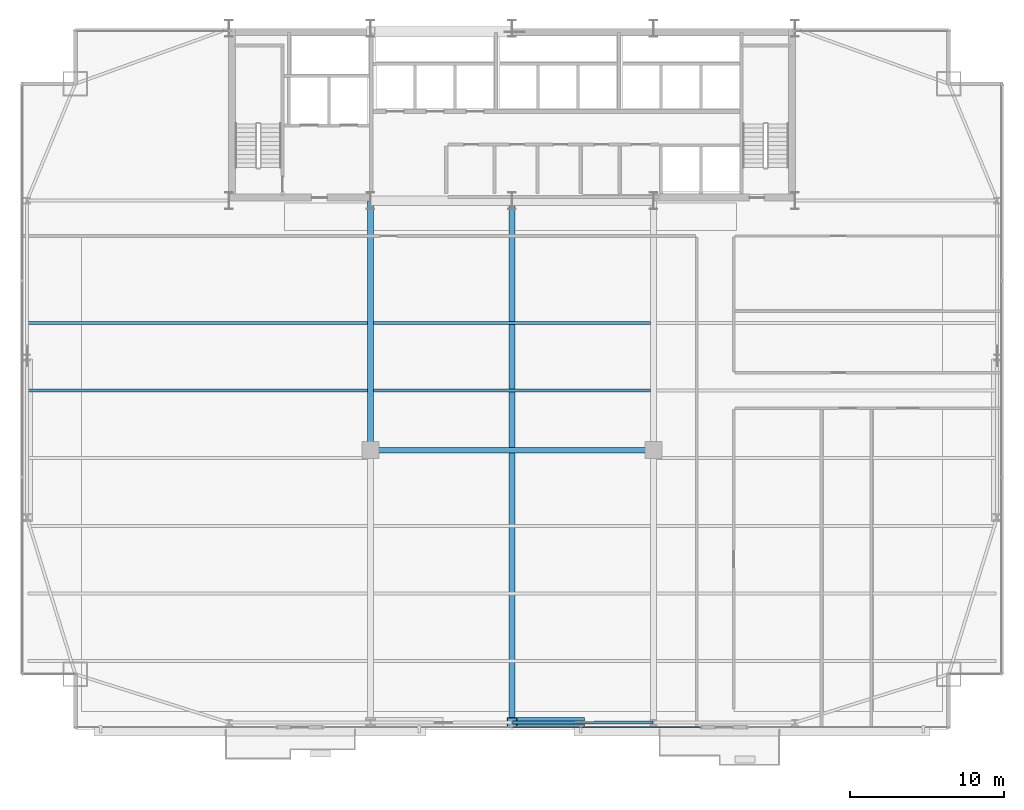
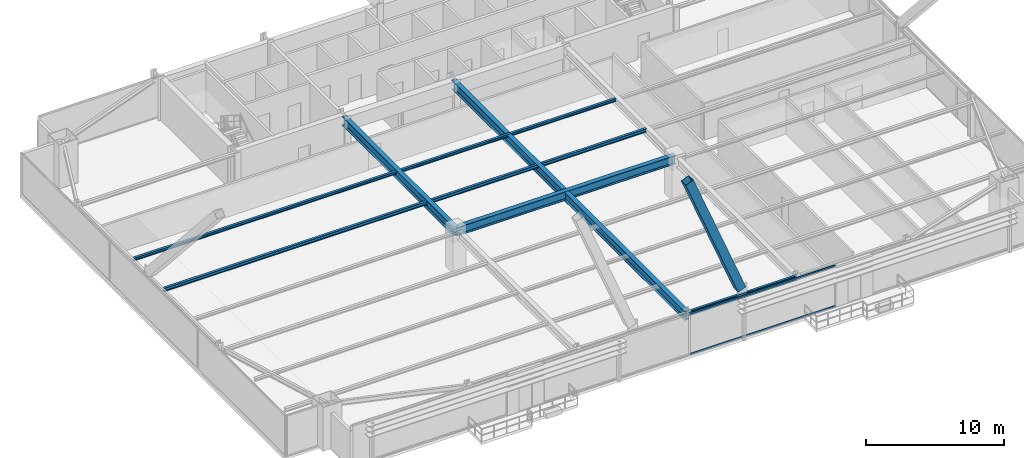
# One storey, part 12 of 35: 8 beams, 3 members, 1 element without a shape of its own.
"""IFC4 building model written with IfcOpenShell, lengths in metres."""

from ifc_helpers import new_model, si_unit, direction, frame, origin, origin_2d, place, context, subcontext, project, spatial, hollow_rectangle, i_section, extrude, source, transform, mapped, material, layer, layer_set, material_profile, profile_set, type_object, type_shapes, element, aggregate, save


model = new_model("IFC4")

# Units and contexts
model_context = context("Model", 3, precision=1e-05, world=origin(), true_north=direction((0.0, 1.0)))
body_context = subcontext(model_context, "Body", "Model", "MODEL_VIEW")
ifc_project = project(units=[si_unit("LENGTHUNIT", "METRE"), si_unit("AREAUNIT", "SQUARE_METRE"), si_unit("VOLUMEUNIT", "CUBIC_METRE"), si_unit("PLANEANGLEUNIT", "RADIAN"), si_unit("MASSUNIT", "GRAM", prefix="KILO")], contexts=[model_context])

# Site, building, storey
site_placement = place(None, origin())
site = spatial("IfcSite", under=ifc_project, at=site_placement, CompositionType="ELEMENT")
building_placement = place(site_placement, origin())
building = spatial("IfcBuilding", under=site, at=building_placement, Name="Varnel Quay Broadcast Tower", CompositionType="ELEMENT")
storey_placement = place(building_placement, frame((0.0, 0.0, 66.60009765625)))
storey = spatial("IfcBuildingStorey", under=building, at=storey_placement, Name="L15", CompositionType="ELEMENT", Elevation=66.60009765625)

# Beams
ifc_material_1 = material(Name="Structural Steel CSA G40.21 350W", Category="steel")
ifc_material_profile_1 = material_profile(ifc_material_1, i_section(OverallWidth=0.180908203125, OverallDepth=0.4169921875, WebThickness=0.010986328125, FlangeThickness=0.018310546875, FilletRadius=0.011962890625, at=origin_2d()), Name="W410X85")
ifc_profile_set_1 = profile_set([ifc_material_profile_1], Name="Structural Steel CSA G40.21 350W")
beam_type_1 = type_object("IfcBeamType", Name="Beam_W410X85", PredefinedType="SPANDREL", material=ifc_profile_set_1)
shared_shape_1 = source(origin(), body_context, "Body", "SweptSolid", [
    extrude(i_section(OverallWidth=0.180908203125, OverallDepth=0.4169921875, WebThickness=0.010986328125, FlangeThickness=0.018310546875, FilletRadius=0.011962890625, at=origin_2d()), origin(), (0.0, 0.0, 1.0), 9.159912109375),
])
type_shapes(beam_type_1, [shared_shape_1])
beam_1_placement = place(storey_placement, frame((34.02001953125, 1.64990234375, 3.44140625), z_axis=(1.0, 0.0, 0.0), x_axis=(0.0, 1.0, 0.0)))
element("IfcBeam", 1, at=beam_1_placement, inside=storey, type_object=beam_type_1, Name="L15 South Spandrel TC-S3-TC-S4", PredefinedType="SPANDREL", context=body_context, shape_type="MappedRepresentation", body=[
    mapped(shared_shape_1, transform((0.0, 0.0, 0.0), x_axis=(1.0, 0.0, 0.0), y_axis=(0.0, 1.0, 0.0), z_axis=(0.0, 0.0, 1.0), scale=1.0)),
])
ifc_material_profile_2 = material_profile(ifc_material_1, i_section(OverallWidth=0.381103515625, OverallDepth=0.77294921875, WebThickness=0.0166015625, FlangeThickness=0.027587890625, FilletRadius=0.01806640625, at=origin_2d()), Name="W760X257")
ifc_profile_set_2 = profile_set([ifc_material_profile_2], Name="Structural Steel CSA G40.21 350W")
beam_type_2 = type_object("IfcBeamType", Name="Girder_W760X257", PredefinedType="BEAM", material=ifc_profile_set_2)
shared_shape_2 = source(origin(), body_context, "Body", "SweptSolid", [
    extrude(i_section(OverallWidth=0.381103515625, OverallDepth=0.77294921875, WebThickness=0.0166015625, FlangeThickness=0.027587890625, FilletRadius=0.01806640625, at=origin_2d()), origin(), (0.0, 0.0, 1.0), 16.190185546875),
])
beam_2_placement = place(storey_placement, frame((24.800048828125, 19.389892578125, 3.263427734375), z_axis=(0.0, 1.0, 0.0), x_axis=(-1.0, 0.0, 0.0)))
element("IfcBeam", 2, at=beam_2_placement, inside=storey, type_object=beam_type_2, Name="L15 Primary Girder IC-01-CC-S2", PredefinedType="BEAM", context=body_context, shape_type="MappedRepresentation", body=[
    mapped(shared_shape_2, transform((0.0, 0.0, 0.0), x_axis=(1.0, 0.0, 0.0), y_axis=(0.0, 1.0, 0.0), z_axis=(0.0, 0.0, 1.0), scale=1.0)),
])
shared_shape_3 = source(origin(), body_context, "Body", "SweptSolid", [
    extrude(i_section(OverallWidth=0.381103515625, OverallDepth=0.77294921875, WebThickness=0.0166015625, FlangeThickness=0.027587890625, FilletRadius=0.01806640625, at=origin_2d()), origin(), (0.0, 0.0, 1.0), 18.35986328125),
])
beam_3_placement = place(storey_placement, frame((24.820068359375, 19.3701171875, 3.263427734375), z_axis=(1.0, 0.0, 0.0), x_axis=(0.0, 1.0, 0.0)))
element("IfcBeam", 3, at=beam_3_placement, inside=storey, type_object=beam_type_2, Name="L15 Interior Spine Girder", PredefinedType="BEAM", context=body_context, shape_type="MappedRepresentation", body=[
    mapped(shared_shape_3, transform((0.0, 0.0, 0.0), x_axis=(1.0, 0.0, 0.0), y_axis=(0.0, 1.0, 0.0), z_axis=(0.0, 0.0, 1.0), scale=1.0)),
])
shared_shape_4 = source(origin(), body_context, "Body", "SweptSolid", [
    extrude(i_section(OverallWidth=0.381103515625, OverallDepth=0.77294921875, WebThickness=0.0166015625, FlangeThickness=0.027587890625, FilletRadius=0.01806640625, at=origin_2d()), origin(), (0.0, 0.0, 1.0), 33.91015625),
])
type_shapes(beam_type_2, [shared_shape_2, shared_shape_3, shared_shape_4])
beam_4_placement = place(storey_placement, frame((34.0, 1.669921875, 3.263427734375), z_axis=(0.0, 1.0, 0.0), x_axis=(-1.0, 0.0, 0.0)))
element("IfcBeam", 4, at=beam_4_placement, inside=storey, type_object=beam_type_2, Name="L15 Central Bay Girder", PredefinedType="BEAM", context=body_context, shape_type="MappedRepresentation", body=[
    mapped(shared_shape_4, transform((0.0, 0.0, 0.0), x_axis=(1.0, 0.0, 0.0), y_axis=(0.0, 1.0, 0.0), z_axis=(0.0, 0.0, 1.0), scale=1.0)),
])
ifc_material_profile_3 = material_profile(ifc_material_1, i_section(OverallWidth=0.202880859375, OverallDepth=0.302978515625, WebThickness=0.007568359375, FlangeThickness=0.01318359375, FilletRadius=0.011962890625, at=origin_2d()), Name="W310X60")
ifc_profile_set_3 = profile_set([ifc_material_profile_3], Name="Structural Steel CSA G40.21 350W")
beam_type_3 = type_object("IfcBeamType", Name="Beam_W310X60", PredefinedType="JOIST", material=ifc_profile_set_3)
shared_shape_5 = source(origin(), body_context, "Body", "SweptSolid", [
    extrude(i_section(OverallWidth=0.202880859375, OverallDepth=0.302978515625, WebThickness=0.007568359375, FlangeThickness=0.01318359375, FilletRadius=0.011962890625, at=origin_2d()), origin(), (0.0, 0.0, 1.0), 22.0791015625),
])
beam_5_placement = place(storey_placement, frame((2.535400390625, 23.25, 3.498291015625), z_axis=(1.0, 0.0, 0.0), x_axis=(0.0, 1.0, 0.0)))
element("IfcBeam", 5, at=beam_5_placement, inside=storey, type_object=beam_type_3, Name="L15 West Floor Joist 5", PredefinedType="JOIST", context=body_context, shape_type="MappedRepresentation", body=[
    mapped(shared_shape_5, transform((0.0, 0.0, 0.0), x_axis=(1.0, 0.0, 0.0), y_axis=(0.0, 1.0, 0.0), z_axis=(0.0, 0.0, 1.0), scale=1.0)),
])
shared_shape_6 = source(origin(), body_context, "Body", "SweptSolid", [
    extrude(i_section(OverallWidth=0.202880859375, OverallDepth=0.302978515625, WebThickness=0.007568359375, FlangeThickness=0.01318359375, FilletRadius=0.011962890625, at=origin_2d()), origin(), (0.0, 0.0, 1.0), 18.02880859375),
])
type_shapes(beam_type_3, [shared_shape_5, shared_shape_6])
beam_6_placement = place(storey_placement, frame((24.985595703125, 23.25, 3.498291015625), z_axis=(1.0, 0.0, 0.0), x_axis=(0.0, 1.0, 0.0)))
element("IfcBeam", 6, at=beam_6_placement, inside=storey, type_object=beam_type_3, Name="L15 Central Floor Joist 5", PredefinedType="JOIST", context=body_context, shape_type="MappedRepresentation", body=[
    mapped(shared_shape_6, transform((0.0, 0.0, 0.0), x_axis=(1.0, 0.0, 0.0), y_axis=(0.0, 1.0, 0.0), z_axis=(0.0, 0.0, 1.0), scale=1.0)),
])
ifc_material_profile_4 = material_profile(ifc_material_1, i_section(OverallWidth=0.201904296875, OverallDepth=0.2470703125, WebThickness=0.00732421875, FlangeThickness=0.010986328125, FilletRadius=0.010986328125, at=origin_2d()), Name="W250X49")
ifc_profile_set_4 = profile_set([ifc_material_profile_4], Name="Structural Steel CSA G40.21 350W")
beam_type_4 = type_object("IfcBeamType", Name="Beam_W250X49", PredefinedType="JOIST", material=ifc_profile_set_4)
shared_shape_7 = source(origin(), body_context, "Body", "SweptSolid", [
    extrude(i_section(OverallWidth=0.201904296875, OverallDepth=0.2470703125, WebThickness=0.00732421875, FlangeThickness=0.010986328125, FilletRadius=0.010986328125, at=origin_2d()), origin(), (0.0, 0.0, 1.0), 22.0791015625),
])
beam_7_placement = place(storey_placement, frame((2.535400390625, 27.64990234375, 3.5263671875), z_axis=(1.0, 0.0, 0.0), x_axis=(0.0, 1.0, 0.0)))
element("IfcBeam", 7, at=beam_7_placement, inside=storey, type_object=beam_type_4, Name="L15 West Floor Joist 6", PredefinedType="JOIST", context=body_context, shape_type="MappedRepresentation", body=[
    mapped(shared_shape_7, transform((0.0, 0.0, 0.0), x_axis=(1.0, 0.0, 0.0), y_axis=(0.0, 1.0, 0.0), z_axis=(0.0, 0.0, 1.0), scale=1.0)),
])
shared_shape_8 = source(origin(), body_context, "Body", "SweptSolid", [
    extrude(i_section(OverallWidth=0.201904296875, OverallDepth=0.2470703125, WebThickness=0.00732421875, FlangeThickness=0.010986328125, FilletRadius=0.010986328125, at=origin_2d()), origin(), (0.0, 0.0, 1.0), 18.02880859375),
])
type_shapes(beam_type_4, [shared_shape_7, shared_shape_8])
beam_8_placement = place(storey_placement, frame((24.985595703125, 27.64990234375, 3.5263671875), z_axis=(1.0, 0.0, 0.0), x_axis=(0.0, 1.0, 0.0)))
element("IfcBeam", 8, at=beam_8_placement, inside=storey, type_object=beam_type_4, Name="L15 Central Floor Joist 6", PredefinedType="JOIST", context=body_context, shape_type="MappedRepresentation", body=[
    mapped(shared_shape_8, transform((0.0, 0.0, 0.0), x_axis=(1.0, 0.0, 0.0), y_axis=(0.0, 1.0, 0.0), z_axis=(0.0, 0.0, 1.0), scale=1.0)),
])

# Member
ifc_material_2 = material(Name="Structural Steel CSA G40.21 350WT", Category="steel")
ifc_material_profile_5 = material_profile(ifc_material_2, hollow_rectangle(XDim=0.699951171875, YDim=0.699951171875, WallThickness=0.031982421875, at=origin_2d()), Name="BOX700X700X32")
ifc_profile_set_5 = profile_set([ifc_material_profile_5], Name="Structural Steel CSA G40.21 350WT")
member_type_1 = type_object("IfcMemberType", Name="Brace_BOX700X700X32", PredefinedType="BRACE", material=ifc_profile_set_5)
shared_shape_9 = source(origin(), body_context, "Body", "SweptSolid", [
    extrude(hollow_rectangle(XDim=0.699951171875, YDim=0.699951171875, WallThickness=0.031982421875, at=origin_2d()), origin(), (0.0, 0.0, 1.0), 11.871337890625),
])
type_shapes(member_type_1, [shared_shape_9])
member_1_placement = place(storey_placement, frame((38.40234375, 1.64990234375, 4.235107421875), z_axis=(-0.370837468856, 0.0, 0.928697782754), x_axis=(0.0, -1.0, 0.0)))
element("IfcMember", 9, at=member_1_placement, inside=storey, type_object=member_type_1, Name="Zone 1 Mega-Brace S-C2T3 Split Diag B2", PredefinedType="BRACE", context=body_context, shape_type="MappedRepresentation", body=[
    mapped(shared_shape_9, transform((0.0, 0.0, 0.0), x_axis=(1.0, 0.0, 0.0), y_axis=(0.0, 1.0, 0.0), z_axis=(0.0, 0.0, 1.0), scale=1.0)),
])

# Curtain wall, members
ifc_material_3 = material(Name="Anodised Bronze Aluminium 6063-T6", Category="aluminium")
ifc_layer = layer(ifc_material_3, 0.18994140625, Name="Anodised Bronze Aluminium 6063-T6")
ifc_layer_set = layer_set([ifc_layer], Name="Anodised Bronze Aluminium 6063-T6")
curtain_wall_type = type_object("IfcCurtainWallType", Name="CW_LowerTower", PredefinedType="NOTDEFINED", material=ifc_layer_set)
curtain_wall_placement = place(storey_placement, origin())
curtain_wall = element("IfcCurtainWall", 10, at=curtain_wall_placement, inside=storey, type_object=curtain_wall_type, Name="L15 South Unitised Curtain Wall 2", PredefinedType="NOTDEFINED")
ifc_material_profile_6 = material_profile(ifc_material_3, hollow_rectangle(XDim=0.06005859375, YDim=0.14501953125, WallThickness=0.00341796875, at=origin_2d()), Name="ALU60X145X3.5")
ifc_profile_set_6 = profile_set([ifc_material_profile_6], Name="Anodised Bronze Aluminium 6063-T6")
member_type_2 = type_object("IfcMemberType", Name="Tran_CWS-02", PredefinedType="USERDEFINED", material=ifc_profile_set_6)
shared_shape_10 = source(origin(), body_context, "Body", "SweptSolid", [
    extrude(hollow_rectangle(XDim=0.06005859375, YDim=0.14501953125, WallThickness=0.00341796875, at=origin_2d()), origin(), (0.0, 0.0, 1.0), 12.215087890625),
])
type_shapes(member_type_2, [shared_shape_10])
member_2_placement = place(storey_placement, frame((34.034912109375, 1.35009765625, 0.02978515625), z_axis=(1.0, 0.0, 0.0), x_axis=(0.0, 1.0, 0.0)))
member_2 = element("IfcMember", 11, at=member_2_placement, type_object=member_type_2, Name="CWS-02 transom 2.1", ObjectType="TRANSOM", PredefinedType="USERDEFINED", context=body_context, shape_type="MappedRepresentation", body=[
    mapped(shared_shape_10, transform((0.0, 0.0, 0.0), x_axis=(1.0, 0.0, 0.0), y_axis=(0.0, 1.0, 0.0), z_axis=(0.0, 0.0, 1.0), scale=1.0)),
])
member_3_placement = place(storey_placement, frame((34.034912109375, 1.35009765625, 3.619873046875), z_axis=(1.0, 0.0, 0.0), x_axis=(0.0, 1.0, 0.0)))
member_3 = element("IfcMember", 12, at=member_3_placement, type_object=member_type_2, Name="CWS-02 transom 2.2", ObjectType="TRANSOM", PredefinedType="USERDEFINED", context=body_context, shape_type="MappedRepresentation", body=[
    mapped(shared_shape_10, transform((0.0, 0.0, 0.0), x_axis=(1.0, 0.0, 0.0), y_axis=(0.0, 1.0, 0.0), z_axis=(0.0, 0.0, 1.0), scale=1.0)),
])
aggregate(curtain_wall, [member_2, member_3])

save(model, "model.ifc")
